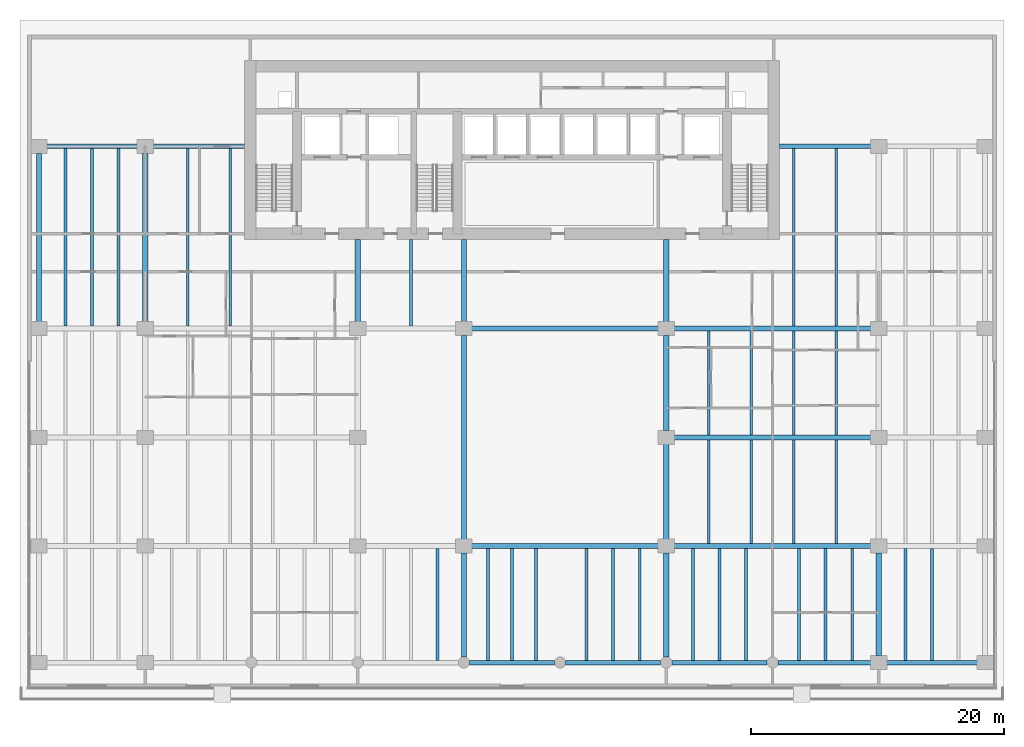
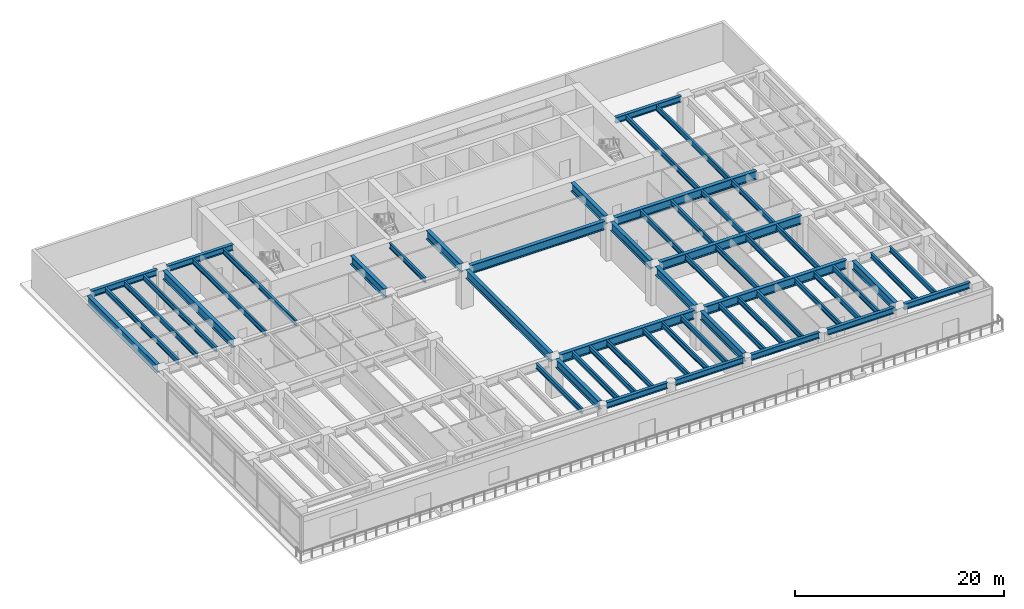
# One storey, part 3 of 17: 55 beams.
"""IFC4 building model written with IfcOpenShell, lengths in metres."""

from ifc_helpers import new_model, si_unit, direction, frame, origin, origin_2d, place, context, subcontext, project, spatial, i_section, extrude, material, material_profile, profile_set, type_object, element, save


model = new_model("IFC4")

# Units and contexts
model_context = context("Model", 3, precision=1e-05, world=origin(), true_north=direction((0.0, 1.0)))
body_context = subcontext(model_context, "Body", "Model", "MODEL_VIEW")
ifc_project = project(units=[si_unit("LENGTHUNIT", "METRE"), si_unit("AREAUNIT", "SQUARE_METRE"), si_unit("VOLUMEUNIT", "CUBIC_METRE"), si_unit("PLANEANGLEUNIT", "RADIAN"), si_unit("MASSUNIT", "GRAM", prefix="KILO")], contexts=[model_context])

# Site, building, storey
site_placement = place(None, origin())
site = spatial("IfcSite", under=ifc_project, at=site_placement, CompositionType="ELEMENT")
building_placement = place(site_placement, origin())
building = spatial("IfcBuilding", under=site, at=building_placement, Name="Caelmar Bay Residences", CompositionType="ELEMENT")
storey_placement = place(building_placement, frame((0.0, 0.0, 10.199951171875)))
storey = spatial("IfcBuildingStorey", under=building, at=storey_placement, Name="L02", CompositionType="ELEMENT", Elevation=10.199951171875)

# Beams
ifc_material = material(Name="Steel ASTM A992 Grade 50", Category="steel")
ifc_material_profile_1 = material_profile(ifc_material, i_section(OverallWidth=0.404052734375, OverallDepth=1.02099609375, WebThickness=0.025390625, FlangeThickness=0.0458984375, FilletRadius=0.02294921875, at=origin_2d()), Name="W40X324")
ifc_profile_set_1 = profile_set([ifc_material_profile_1], Name="Steel ASTM A992 Grade 50")
beam_type_1 = type_object("IfcBeamType", Name="BM-GRD-W40X324", PredefinedType="BEAM", material=ifc_profile_set_1)
beam_1_placement = place(storey_placement, frame((35.639892578125, 12.199951171875, 3.989501953125), z_axis=(1.0, 0.0, 0.0), x_axis=(0.0, 1.0, 0.0)))
element("IfcBeam", 1, at=beam_1_placement, inside=storey, type_object=beam_type_1, Name="L02 East-West Girder Y=12.20 (35.1-51.1)", PredefinedType="BEAM", context=body_context, shape_type="SweptSolid", body=[
    extrude(i_section(OverallWidth=0.404052734375, OverallDepth=1.02099609375, WebThickness=0.025390625, FlangeThickness=0.0458984375, FilletRadius=0.02294921875, at=origin_2d()), origin(), (0.0, 0.0, 1.0), 14.920166015625),
])
for number, where, z_axis, x_axis, name in (
    (2, (51.639892578125, 12.199951171875, 3.989501953125), (1.0, 0.0, 0.0), (0.0, 1.0, 0.0), "L02 East-West Girder Y=12.20 (51.1-67.9)"),
    (3, (51.639892578125, 20.800048828125, 3.989501953125), (1.0, 0.0, 0.0), (0.0, 1.0, 0.0), "L02 East-West Girder Y=20.80 (51.1-67.9)"),
):
    element("IfcBeam", number, at=place(storey_placement, frame(where, z_axis=z_axis, x_axis=x_axis)), inside=storey, type_object=beam_type_1, Name=name, PredefinedType="BEAM", context=body_context, shape_type="SweptSolid", body=[
        extrude(i_section(OverallWidth=0.404052734375, OverallDepth=1.02099609375, WebThickness=0.025390625, FlangeThickness=0.0458984375, FilletRadius=0.02294921875, at=origin_2d()), origin(), (0.0, 0.0, 1.0), 15.72021484375),
    ])
beam_2_placement = place(storey_placement, frame((35.639892578125, 29.39990234375, 3.989501953125), z_axis=(1.0, 0.0, 0.0), x_axis=(0.0, 1.0, 0.0)))
element("IfcBeam", 4, at=beam_2_placement, inside=storey, type_object=beam_type_1, Name="L02 East-West Girder Y=29.40 (35.1-51.1)", PredefinedType="BEAM", context=body_context, shape_type="SweptSolid", body=[
    extrude(i_section(OverallWidth=0.404052734375, OverallDepth=1.02099609375, WebThickness=0.025390625, FlangeThickness=0.0458984375, FilletRadius=0.02294921875, at=origin_2d()), origin(), (0.0, 0.0, 1.0), 14.920166015625),
])
beam_3_placement = place(storey_placement, frame((51.639892578125, 29.39990234375, 3.989501953125), z_axis=(1.0, 0.0, 0.0), x_axis=(0.0, 1.0, 0.0)))
element("IfcBeam", 5, at=beam_3_placement, inside=storey, type_object=beam_type_1, Name="L02 East-West Girder Y=29.40 (51.1-67.9)", PredefinedType="BEAM", context=body_context, shape_type="SweptSolid", body=[
    extrude(i_section(OverallWidth=0.404052734375, OverallDepth=1.02099609375, WebThickness=0.025390625, FlangeThickness=0.0458984375, FilletRadius=0.02294921875, at=origin_2d()), origin(), (0.0, 0.0, 1.0), 15.72021484375),
])
for number, where, z_axis, x_axis, name in (
    (6, (1.5, 29.93994140625, 3.989501953125), (0.0, 1.0, 0.0), (-1.0, 0.0, 0.0), "L02 North-South Girder X=1.50 (29.4-43.8)"),
    (7, (9.89990234375, 29.93994140625, 3.989501953125), (0.0, 1.0, 0.0), (-1.0, 0.0, 0.0), "L02 North-South Girder X=9.90 (29.4-43.8)"),
):
    element("IfcBeam", number, at=place(storey_placement, frame(where, z_axis=z_axis, x_axis=x_axis)), inside=storey, type_object=beam_type_1, Name=name, PredefinedType="BEAM", context=body_context, shape_type="SweptSolid", body=[
        extrude(i_section(OverallWidth=0.404052734375, OverallDepth=1.02099609375, WebThickness=0.025390625, FlangeThickness=0.0458984375, FilletRadius=0.02294921875, at=origin_2d()), origin(), (0.0, 0.0, 1.0), 13.320068359375),
    ])
for number, where, z_axis, x_axis, name in (
    (8, (26.699951171875, 29.93994140625, 3.989501953125), (0.0, 1.0, 0.0), (-1.0, 0.0, 0.0), "L02 Core Tie Girder X=26.70"),
    (9, (35.10009765625, 29.93994140625, 3.989501953125), (0.0, 1.0, 0.0), (-1.0, 0.0, 0.0), "L02 Core Tie Girder X=35.10"),
):
    element("IfcBeam", number, at=place(storey_placement, frame(where, z_axis=z_axis, x_axis=x_axis)), inside=storey, type_object=beam_type_1, Name=name, PredefinedType="BEAM", context=body_context, shape_type="SweptSolid", body=[
        extrude(i_section(OverallWidth=0.404052734375, OverallDepth=1.02099609375, WebThickness=0.025390625, FlangeThickness=0.0458984375, FilletRadius=0.02294921875, at=origin_2d()), origin(), (0.0, 0.0, 1.0), 6.510009765625),
    ])
beam_4_placement = place(storey_placement, frame((35.10009765625, 3.43994140625, 3.989501953125), z_axis=(0.0, 1.0, 0.0), x_axis=(-1.0, 0.0, 0.0)))
element("IfcBeam", 10, at=beam_4_placement, inside=storey, type_object=beam_type_1, Name="L02 North-South Girder X=35.10 (3.0-12.2)", PredefinedType="BEAM", context=body_context, shape_type="SweptSolid", body=[
    extrude(i_section(OverallWidth=0.404052734375, OverallDepth=1.02099609375, WebThickness=0.025390625, FlangeThickness=0.0458984375, FilletRadius=0.02294921875, at=origin_2d()), origin(), (0.0, 0.0, 1.0), 8.219970703125),
])
beam_5_placement = place(storey_placement, frame((35.10009765625, 12.739990234375, 3.989501953125), z_axis=(0.0, 1.0, 0.0), x_axis=(-1.0, 0.0, 0.0)))
element("IfcBeam", 11, at=beam_5_placement, inside=storey, type_object=beam_type_1, Name="L02 North-South Girder X=35.10 (12.2-29.4)", PredefinedType="BEAM", context=body_context, shape_type="SweptSolid", body=[
    extrude(i_section(OverallWidth=0.404052734375, OverallDepth=1.02099609375, WebThickness=0.025390625, FlangeThickness=0.0458984375, FilletRadius=0.02294921875, at=origin_2d()), origin(), (0.0, 0.0, 1.0), 16.1201171875),
])
beam_6_placement = place(storey_placement, frame((51.10009765625, 29.93994140625, 3.989501953125), z_axis=(0.0, 1.0, 0.0), x_axis=(-1.0, 0.0, 0.0)))
element("IfcBeam", 12, at=beam_6_placement, inside=storey, type_object=beam_type_1, Name="L02 Core Tie Girder X=51.10", PredefinedType="BEAM", context=body_context, shape_type="SweptSolid", body=[
    extrude(i_section(OverallWidth=0.404052734375, OverallDepth=1.02099609375, WebThickness=0.025390625, FlangeThickness=0.0458984375, FilletRadius=0.02294921875, at=origin_2d()), origin(), (0.0, 0.0, 1.0), 6.510009765625),
])
beam_7_placement = place(storey_placement, frame((51.10009765625, 3.43994140625, 3.989501953125), z_axis=(0.0, 1.0, 0.0), x_axis=(-1.0, 0.0, 0.0)))
element("IfcBeam", 13, at=beam_7_placement, inside=storey, type_object=beam_type_1, Name="L02 North-South Girder X=51.10 (3.0-12.2)", PredefinedType="BEAM", context=body_context, shape_type="SweptSolid", body=[
    extrude(i_section(OverallWidth=0.404052734375, OverallDepth=1.02099609375, WebThickness=0.025390625, FlangeThickness=0.0458984375, FilletRadius=0.02294921875, at=origin_2d()), origin(), (0.0, 0.0, 1.0), 8.219970703125),
])
for number, where, z_axis, x_axis, name in (
    (14, (51.10009765625, 12.739990234375, 3.989501953125), (0.0, 1.0, 0.0), (-1.0, 0.0, 0.0), "L02 North-South Girder X=51.10 (12.2-20.8)"),
    (15, (51.10009765625, 21.340087890625, 3.989501953125), (0.0, 1.0, 0.0), (-1.0, 0.0, 0.0), "L02 North-South Girder X=51.10 (20.8-29.4)"),
):
    element("IfcBeam", number, at=place(storey_placement, frame(where, z_axis=z_axis, x_axis=x_axis)), inside=storey, type_object=beam_type_1, Name=name, PredefinedType="BEAM", context=body_context, shape_type="SweptSolid", body=[
        extrude(i_section(OverallWidth=0.404052734375, OverallDepth=1.02099609375, WebThickness=0.025390625, FlangeThickness=0.0458984375, FilletRadius=0.02294921875, at=origin_2d()), origin(), (0.0, 0.0, 1.0), 7.52001953125),
    ])
beam_8_placement = place(storey_placement, frame((67.89990234375, 3.5400390625, 3.989501953125), z_axis=(0.0, 1.0, 0.0), x_axis=(-1.0, 0.0, 0.0)))
element("IfcBeam", 16, at=beam_8_placement, inside=storey, type_object=beam_type_1, Name="L02 North-South Girder X=67.90 (3.0-12.2)", PredefinedType="BEAM", context=body_context, shape_type="SweptSolid", body=[
    extrude(i_section(OverallWidth=0.404052734375, OverallDepth=1.02099609375, WebThickness=0.025390625, FlangeThickness=0.0458984375, FilletRadius=0.02294921875, at=origin_2d()), origin(), (0.0, 0.0, 1.0), 8.119873046875),
])
ifc_material_profile_2 = material_profile(ifc_material, i_section(OverallWidth=0.22900390625, OverallDepth=0.612060546875, WebThickness=0.011962890625, FlangeThickness=0.01953125, FilletRadius=0.0126953125, at=origin_2d()), Name="W24X84")
ifc_profile_set_2 = profile_set([ifc_material_profile_2], Name="Steel ASTM A992 Grade 50")
beam_type_2 = type_object("IfcBeamType", Name="BM-JST-W24X84", PredefinedType="JOIST", material=ifc_profile_set_2)
for number, where, z_axis, x_axis, name in (
    (17, (33.0, 3.177978515625, 4.194091796875), (0.0, 1.0, 0.0), (-1.0, 0.0, 0.0), "L02 Composite Floor Joist 12"),
    (18, (37.0, 3.177978515625, 4.194091796875), (0.0, 1.0, 0.0), (-1.0, 0.0, 0.0), "L02 Composite Floor Joist 13"),
    (19, (38.89990234375, 3.177978515625, 4.194091796875), (0.0, 1.0, 0.0), (-1.0, 0.0, 0.0), "L02 Composite Floor Joist 14"),
    (20, (40.800048828125, 3.177978515625, 4.194091796875), (0.0, 1.0, 0.0), (-1.0, 0.0, 0.0), "L02 Composite Floor Joist 15"),
    (21, (44.800048828125, 3.177978515625, 4.194091796875), (0.0, 1.0, 0.0), (-1.0, 0.0, 0.0), "L02 Composite Floor Joist 16"),
    (22, (46.89990234375, 3.177978515625, 4.194091796875), (0.0, 1.0, 0.0), (-1.0, 0.0, 0.0), "L02 Composite Floor Joist 17"),
    (23, (49.0, 3.177978515625, 4.194091796875), (0.0, 1.0, 0.0), (-1.0, 0.0, 0.0), "L02 Composite Floor Joist 18"),
    (24, (53.199951171875, 3.177978515625, 4.194091796875), (0.0, 1.0, 0.0), (-1.0, 0.0, 0.0), "L02 Composite Floor Joist 19"),
    (25, (55.300048828125, 3.177978515625, 4.194091796875), (0.0, 1.0, 0.0), (-1.0, 0.0, 0.0), "L02 Composite Floor Joist 20"),
    (26, (57.39990234375, 3.177978515625, 4.194091796875), (0.0, 1.0, 0.0), (-1.0, 0.0, 0.0), "L02 Composite Floor Joist 21"),
    (27, (61.60009765625, 3.177978515625, 4.194091796875), (0.0, 1.0, 0.0), (-1.0, 0.0, 0.0), "L02 Composite Floor Joist 22"),
    (28, (63.699951171875, 3.177978515625, 4.194091796875), (0.0, 1.0, 0.0), (-1.0, 0.0, 0.0), "L02 Composite Floor Joist 23"),
    (29, (65.800048828125, 3.177978515625, 4.194091796875), (0.0, 1.0, 0.0), (-1.0, 0.0, 0.0), "L02 Composite Floor Joist 24"),
    (30, (70.0, 3.177978515625, 4.194091796875), (0.0, 1.0, 0.0), (-1.0, 0.0, 0.0), "L02 Composite Floor Joist 25"),
    (31, (72.10009765625, 3.177978515625, 4.194091796875), (0.0, 1.0, 0.0), (-1.0, 0.0, 0.0), "L02 Composite Floor Joist 26"),
):
    element("IfcBeam", number, at=place(storey_placement, frame(where, z_axis=z_axis, x_axis=x_axis)), inside=storey, type_object=beam_type_2, Name=name, PredefinedType="JOIST", context=body_context, shape_type="SweptSolid", body=[
        extrude(i_section(OverallWidth=0.22900390625, OverallDepth=0.612060546875, WebThickness=0.011962890625, FlangeThickness=0.01953125, FilletRadius=0.0126953125, at=origin_2d()), origin(), (0.0, 0.0, 1.0), 8.820068359375),
    ])
for number, where, z_axis, x_axis, name in (
    (32, (54.4599609375, 12.402099609375, 4.194091796875), (0.0, 1.0, 0.0), (-1.0, 0.0, 0.0), "L02 Composite Floor Joist 35"),
    (33, (57.820068359375, 12.402099609375, 4.194091796875), (0.0, 1.0, 0.0), (-1.0, 0.0, 0.0), "L02 Composite Floor Joist 36"),
    (34, (61.179931640625, 12.402099609375, 4.194091796875), (0.0, 1.0, 0.0), (-1.0, 0.0, 0.0), "L02 Composite Floor Joist 37"),
    (35, (64.5400390625, 12.402099609375, 4.194091796875), (0.0, 1.0, 0.0), (-1.0, 0.0, 0.0), "L02 Composite Floor Joist 38"),
):
    element("IfcBeam", number, at=place(storey_placement, frame(where, z_axis=z_axis, x_axis=x_axis)), inside=storey, type_object=beam_type_2, Name=name, PredefinedType="JOIST", context=body_context, shape_type="SweptSolid", body=[
        extrude(i_section(OverallWidth=0.22900390625, OverallDepth=0.612060546875, WebThickness=0.011962890625, FlangeThickness=0.01953125, FilletRadius=0.0126953125, at=origin_2d()), origin(), (0.0, 0.0, 1.0), 8.19580078125),
    ])
for number, where, z_axis, x_axis, name in (
    (36, (54.4599609375, 21.001953125, 4.194091796875), (0.0, 1.0, 0.0), (-1.0, 0.0, 0.0), "L02 Composite Floor Joist 49"),
    (37, (57.820068359375, 21.001953125, 4.194091796875), (0.0, 1.0, 0.0), (-1.0, 0.0, 0.0), "L02 Composite Floor Joist 50"),
    (38, (61.179931640625, 21.001953125, 4.194091796875), (0.0, 1.0, 0.0), (-1.0, 0.0, 0.0), "L02 Composite Floor Joist 51"),
    (39, (64.5400390625, 21.001953125, 4.194091796875), (0.0, 1.0, 0.0), (-1.0, 0.0, 0.0), "L02 Composite Floor Joist 52"),
):
    element("IfcBeam", number, at=place(storey_placement, frame(where, z_axis=z_axis, x_axis=x_axis)), inside=storey, type_object=beam_type_2, Name=name, PredefinedType="JOIST", context=body_context, shape_type="SweptSolid", body=[
        extrude(i_section(OverallWidth=0.22900390625, OverallDepth=0.612060546875, WebThickness=0.011962890625, FlangeThickness=0.01953125, FilletRadius=0.0126953125, at=origin_2d()), origin(), (0.0, 0.0, 1.0), 8.196044921875),
    ])
beam_9_placement = place(storey_placement, frame((30.89990234375, 29.60205078125, 4.194091796875), z_axis=(0.0, 1.0, 0.0), x_axis=(-1.0, 0.0, 0.0)))
element("IfcBeam", 40, at=beam_9_placement, inside=storey, type_object=beam_type_2, Name="L02 Core-Band Composite Joist 56", PredefinedType="JOIST", context=body_context, shape_type="SweptSolid", body=[
    extrude(i_section(OverallWidth=0.22900390625, OverallDepth=0.612060546875, WebThickness=0.011962890625, FlangeThickness=0.01953125, FilletRadius=0.0126953125, at=origin_2d()), origin(), (0.0, 0.0, 1.0), 6.847900390625),
])
for number, where, z_axis, x_axis, name in (
    (41, (3.60009765625, 29.60205078125, 4.194091796875), (0.0, 1.0, 0.0), (-1.0, 0.0, 0.0), "L02 Composite Floor Joist 57"),
    (42, (5.699951171875, 29.60205078125, 4.194091796875), (0.0, 1.0, 0.0), (-1.0, 0.0, 0.0), "L02 Composite Floor Joist 58"),
    (43, (7.800048828125, 29.60205078125, 4.194091796875), (0.0, 1.0, 0.0), (-1.0, 0.0, 0.0), "L02 Composite Floor Joist 59"),
    (44, (13.260009765625, 29.60205078125, 4.194091796875), (0.0, 1.0, 0.0), (-1.0, 0.0, 0.0), "L02 Composite Floor Joist 60"),
    (45, (16.6201171875, 29.60205078125, 4.194091796875), (0.0, 1.0, 0.0), (-1.0, 0.0, 0.0), "L02 Composite Floor Joist 61"),
    (46, (61.179931640625, 29.60205078125, 4.194091796875), (0.0, 1.0, 0.0), (-1.0, 0.0, 0.0), "L02 Composite Floor Joist 62"),
    (47, (64.5400390625, 29.60205078125, 4.194091796875), (0.0, 1.0, 0.0), (-1.0, 0.0, 0.0), "L02 Composite Floor Joist 63"),
):
    element("IfcBeam", number, at=place(storey_placement, frame(where, z_axis=z_axis, x_axis=x_axis)), inside=storey, type_object=beam_type_2, Name=name, PredefinedType="JOIST", context=body_context, shape_type="SweptSolid", body=[
        extrude(i_section(OverallWidth=0.22900390625, OverallDepth=0.612060546875, WebThickness=0.011962890625, FlangeThickness=0.01953125, FilletRadius=0.0126953125, at=origin_2d()), origin(), (0.0, 0.0, 1.0), 14.02001953125),
    ])
ifc_material_profile_3 = material_profile(ifc_material, i_section(OverallWidth=0.35595703125, OverallDepth=0.696044921875, WebThickness=0.015380859375, FlangeThickness=0.02490234375, FilletRadius=0.01513671875, at=origin_2d()), Name="W27X146")
ifc_profile_set_3 = profile_set([ifc_material_profile_3], Name="Steel ASTM A992 Grade 50")
beam_type_3 = type_object("IfcBeamType", Name="BM-SPN-W27X146", PredefinedType="SPANDREL", material=ifc_profile_set_3)
beam_10_placement = place(storey_placement, frame((35.5400390625, 3.0, 4.152099609375), z_axis=(1.0, 0.0, 0.0), x_axis=(0.0, 1.0, 0.0)))
element("IfcBeam", 48, at=beam_10_placement, inside=storey, type_object=beam_type_3, Name="L02 East-West Girder Y=3.00 (35.1-42.7)", PredefinedType="SPANDREL", context=body_context, shape_type="SweptSolid", body=[
    extrude(i_section(OverallWidth=0.35595703125, OverallDepth=0.696044921875, WebThickness=0.015380859375, FlangeThickness=0.02490234375, FilletRadius=0.01513671875, at=origin_2d()), origin(), (0.0, 0.0, 1.0), 6.719970703125),
])
for number, where, z_axis, x_axis, name in (
    (49, (43.139892578125, 3.0, 4.152099609375), (1.0, 0.0, 0.0), (0.0, 1.0, 0.0), "L02 East-West Girder Y=3.00 (42.7-51.1)"),
    (50, (51.5400390625, 3.0, 4.152099609375), (1.0, 0.0, 0.0), (0.0, 1.0, 0.0), "L02 East-West Girder Y=3.00 (51.1-59.5)"),
):
    element("IfcBeam", number, at=place(storey_placement, frame(where, z_axis=z_axis, x_axis=x_axis)), inside=storey, type_object=beam_type_3, Name=name, PredefinedType="SPANDREL", context=body_context, shape_type="SweptSolid", body=[
        extrude(i_section(OverallWidth=0.35595703125, OverallDepth=0.696044921875, WebThickness=0.015380859375, FlangeThickness=0.02490234375, FilletRadius=0.01513671875, at=origin_2d()), origin(), (0.0, 0.0, 1.0), 7.52001953125),
    ])
beam_11_placement = place(storey_placement, frame((59.93994140625, 3.0, 4.152099609375), z_axis=(1.0, 0.0, 0.0), x_axis=(0.0, 1.0, 0.0)))
element("IfcBeam", 51, at=beam_11_placement, inside=storey, type_object=beam_type_3, Name="L02 East-West Girder Y=3.00 (59.5-67.9)", PredefinedType="SPANDREL", context=body_context, shape_type="SweptSolid", body=[
    extrude(i_section(OverallWidth=0.35595703125, OverallDepth=0.696044921875, WebThickness=0.015380859375, FlangeThickness=0.02490234375, FilletRadius=0.01513671875, at=origin_2d()), origin(), (0.0, 0.0, 1.0), 7.420166015625),
])
for number, where, z_axis, x_axis, name in (
    (52, (68.43994140625, 3.0, 4.152099609375), (1.0, 0.0, 0.0), (0.0, 1.0, 0.0), "L02 East-West Girder Y=3.00 (67.9-76.3)"),
    (53, (2.0400390625, 43.800048828125, 4.152099609375), (1.0, 0.0, 0.0), (0.0, 1.0, 0.0), "L02 East-West Girder Y=43.80 (1.5-9.9)"),
):
    element("IfcBeam", number, at=place(storey_placement, frame(where, z_axis=z_axis, x_axis=x_axis)), inside=storey, type_object=beam_type_3, Name=name, PredefinedType="SPANDREL", context=body_context, shape_type="SweptSolid", body=[
        extrude(i_section(OverallWidth=0.35595703125, OverallDepth=0.696044921875, WebThickness=0.015380859375, FlangeThickness=0.02490234375, FilletRadius=0.01513671875, at=origin_2d()), origin(), (0.0, 0.0, 1.0), 7.320068359375),
    ])
for number, where, z_axis, x_axis, name in (
    (54, (10.43994140625, 43.800048828125, 4.152099609375), (1.0, 0.0, 0.0), (0.0, 1.0, 0.0), "L02 North-West Wing Core Tie Girder"),
    (55, (60.050048828125, 43.800048828125, 4.152099609375), (1.0, 0.0, 0.0), (0.0, 1.0, 0.0), "L02 North-East Wing Core Tie Girder"),
):
    element("IfcBeam", number, at=place(storey_placement, frame(where, z_axis=z_axis, x_axis=x_axis)), inside=storey, type_object=beam_type_3, Name=name, PredefinedType="SPANDREL", context=body_context, shape_type="SweptSolid", body=[
        extrude(i_section(OverallWidth=0.35595703125, OverallDepth=0.696044921875, WebThickness=0.015380859375, FlangeThickness=0.02490234375, FilletRadius=0.01513671875, at=origin_2d()), origin(), (0.0, 0.0, 1.0), 7.31005859375),
    ])

save(model, "model.ifc")
